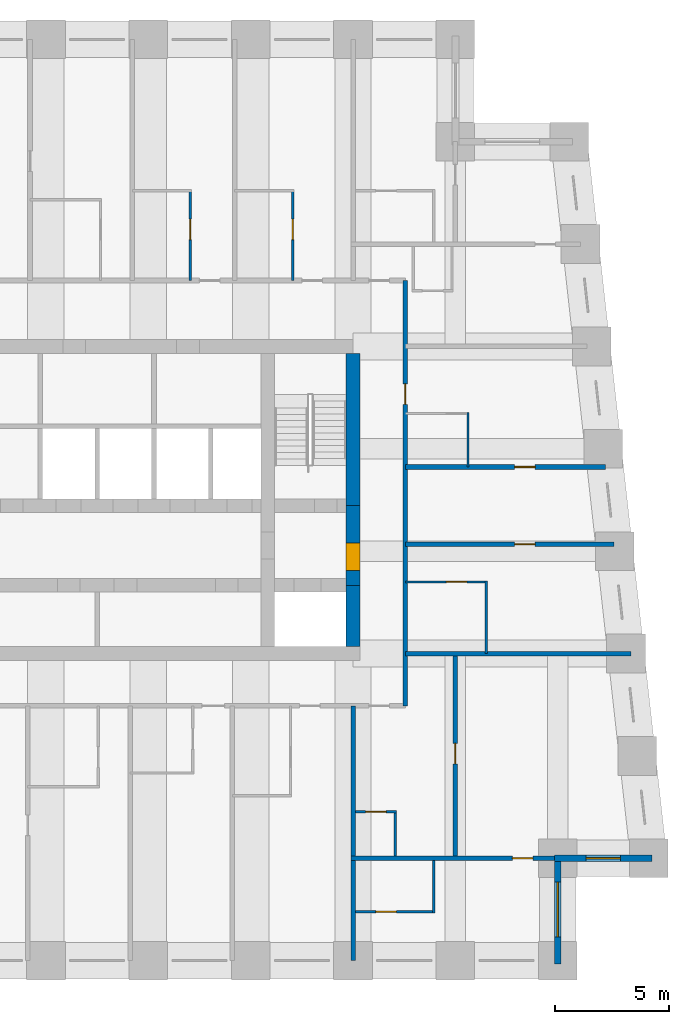
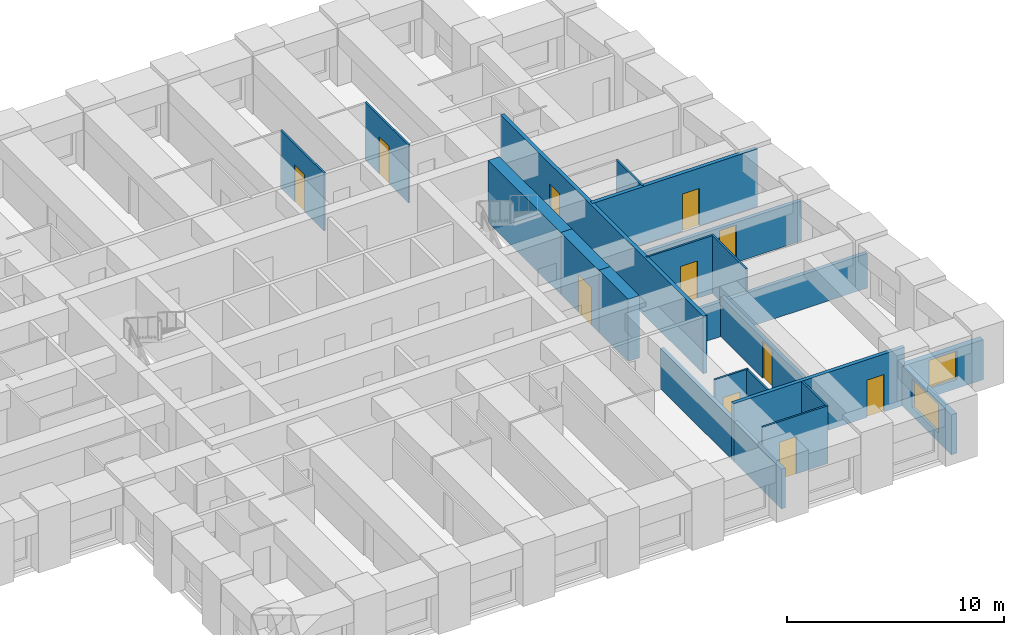
# One storey, part 5 of 8: 21 walls, 11 doors, 2 windows, 13 openings.
"""IFC4 building model written with IfcOpenShell, lengths in metres."""

import ifcopenshell
import ifcopenshell.guid

model = None  # the IFC model being written
_history = None  # IfcOwnerHistory: only IFC2X3 demands one
_inside = {}  # id of a spatial element -> (the spatial element, [elements in it])
_under = {}  # id of a project, library or spatial element -> (it, [spatial elements below it])
_declared = {}  # id of a project -> (the project, [libraries it declares])
_typed = {}  # id of a type object -> (the type object, [elements of that type])
_made_of = {}  # id of a material, layer set ... -> (it, [elements and type objects made of it])


def new_model(schema):
    """Start an empty IFC model of exactly this schema.

    Asked for "IFC4X3", IfcOpenShell would pick the latest addendum, in which some entities
    have other attributes; the version numbers below select the first issue.
    IFC2X3 requires an IfcOwnerHistory on every rooted entity: one is made here for all.
    """
    global model, _history
    if schema == "IFC4X3":
        model = ifcopenshell.file(schema_version=(4, 3, 0, 0))
    else:
        model = ifcopenshell.file(schema=schema)
    _inside.clear()
    _under.clear()
    _declared.clear()
    _typed.clear()
    _made_of.clear()
    _history = None
    if model.schema == "IFC2X3":
        org = make("IfcOrganization", Name="unknown")
        user = make(
            "IfcPersonAndOrganization",
            ThePerson=make("IfcPerson", FamilyName="unknown"),
            TheOrganization=org,
        )
        app = make(
            "IfcApplication",
            ApplicationDeveloper=org,
            Version="unknown",
            ApplicationFullName="unknown",
            ApplicationIdentifier="unknown",
        )
        _history = make(
            "IfcOwnerHistory",
            OwningUser=user,
            OwningApplication=app,
            ChangeAction="ADDED",
            CreationDate=0,
        )
    return model


def make(cls, **values):
    """One entity of the class cls with the attributes given. An attribute that is None is left unset."""
    return model.create_entity(
        cls, **{name: value for name, value in values.items() if value is not None}
    )


def rooted(cls, **values):
    """An entity with a GlobalId (a new one), such as an element, a storey or a relation."""
    return make(cls, GlobalId=ifcopenshell.guid.new(), OwnerHistory=_history, **values)


def si_unit(unit_type, name, prefix=None):
    """IfcSIUnit, for example si_unit("LENGTHUNIT", "METRE", prefix="MILLI")."""
    return make("IfcSIUnit", UnitType=unit_type, Prefix=prefix, Name=name)


def assignment(units):
    """IfcUnitAssignment: the units of a project."""
    return None if units is None else make("IfcUnitAssignment", Units=units)


def point(xyz):
    """IfcCartesianPoint."""
    return None if xyz is None else make("IfcCartesianPoint", Coordinates=xyz)


def direction(xyz):
    """IfcDirection."""
    return None if xyz is None else make("IfcDirection", DirectionRatios=xyz)


def frame(location, z_axis=None, x_axis=None):
    """IfcAxis2Placement3D, a coordinate frame: its origin and axes. An axis left out is left unset."""
    return make(
        "IfcAxis2Placement3D",
        Location=point(location),
        Axis=direction(z_axis),
        RefDirection=direction(x_axis),
    )


def frame_2d(location, x_axis=None):
    """IfcAxis2Placement2D, a coordinate frame in the plane: its origin and x axis."""
    return make(
        "IfcAxis2Placement2D", Location=point(location), RefDirection=direction(x_axis)
    )


def origin():
    """The frame at (0, 0, 0) with its axes left unset."""
    return frame((0.0, 0.0, 0.0))


def place(relative_to, where):
    """IfcLocalPlacement: puts the frame where relative to a parent placement (None: the world)."""
    return make(
        "IfcLocalPlacement", PlacementRelTo=relative_to, RelativePlacement=where
    )


def context(
    kind, dimensions, precision=None, world=None, true_north=None, identifier=None
):
    """IfcGeometricRepresentationContext, for example the 3D "Model" context."""
    return make(
        "IfcGeometricRepresentationContext",
        ContextIdentifier=identifier,
        ContextType=kind,
        CoordinateSpaceDimension=dimensions,
        Precision=precision,
        WorldCoordinateSystem=world,
        TrueNorth=true_north,
    )


def subcontext(parent, identifier, kind, view, scale=None):
    """IfcGeometricRepresentationSubContext, for example "Body" below "Model"."""
    return make(
        "IfcGeometricRepresentationSubContext",
        ContextIdentifier=identifier,
        ContextType=kind,
        ParentContext=parent,
        TargetScale=scale,
        TargetView=view,
    )


def project(units=None, contexts=None):
    """IfcProject with its units and contexts."""
    return rooted(
        "IfcProject",
        Name="project",
        RepresentationContexts=contexts,
        UnitsInContext=assignment(units),
    )


def spatial(cls, under=None, at=None, **own):
    """A site, building, storey or space (cls), placed at a placement, below another one or the project."""
    s = rooted(cls, ObjectPlacement=at, **own)
    if under is not None:
        _under.setdefault(under.id(), (under, []))[1].append(s)
    return s


def profile(cls, at=None, kind="AREA", **sizes):
    """A parametric profile (cls). Its sizes go by their IFC names, for example OverallWidth=200.0."""
    return make(cls, ProfileType=kind, Position=at, **sizes)


def rectangle(**sizes):
    """IfcRectangleProfileDef."""
    return profile("IfcRectangleProfileDef", **sizes)


def extrude(swept, where, along, depth):
    """IfcExtrudedAreaSolid: the profile swept, set in the frame where, extruded along a direction by depth."""
    return make(
        "IfcExtrudedAreaSolid",
        SweptArea=swept,
        Position=where,
        ExtrudedDirection=direction(along),
        Depth=depth,
    )


def shape(context_of_items, identifier, shape_type, items):
    """IfcShapeRepresentation: the items that make up one representation, for example the "Body"."""
    return make(
        "IfcShapeRepresentation",
        ContextOfItems=context_of_items,
        RepresentationIdentifier=identifier,
        RepresentationType=shape_type,
        Items=items,
    )


def material(Name=None, Category=None):
    """IfcMaterial."""
    return make("IfcMaterial", Name=Name, Category=Category)


def layer(
    of_material, thickness, ventilated=None, Name=None, Category=None, Priority=None
):
    """IfcMaterialLayer: one layer of a wall or slab, of a material (None: an air gap)."""
    return make(
        "IfcMaterialLayer",
        Material=of_material,
        LayerThickness=thickness,
        IsVentilated=ventilated,
        Name=Name,
        Category=Category,
        Priority=Priority,
    )


def layer_set(layers, Name=None):
    """IfcMaterialLayerSet."""
    return make("IfcMaterialLayerSet", MaterialLayers=layers, LayerSetName=Name)


def made_of(thing, what):
    """Note that an element or type object is made of a material, layer set ...; save() writes the relation."""
    if what is not None:
        _made_of.setdefault(what.id(), (what, []))[1].append(thing)
    return thing


def type_object(cls, material=None, **own):
    """A type object (cls), such as IfcWallType, which elements share."""
    return made_of(rooted(cls, **own), material)


def element(
    cls,
    number,
    at=None,
    inside=None,
    cuts=None,
    type_object=None,
    material=None,
    context=None,
    identifier="Body",
    shape_type=None,
    held_by="IfcProductDefinitionShape",
    body=None,
    shapes=None,
    **own,
):
    """One element of the class cls, such as IfcWall. Its Tag is "e" and its number.

    at: its placement. inside: the storey or other place that contains it. cuts: it is an
    opening in that element (IfcRelVoidsElement). A single representation is given by context,
    identifier, shape_type and body (its items); several are given by shapes. held_by: the class
    of the entity that holds the representations. save() writes the other relations.
    """
    e = rooted(cls, Tag="e%d" % number, ObjectPlacement=at, **own)
    if body is not None:
        shapes = [shape(context, identifier, shape_type, body)]
    if shapes is not None:
        e.Representation = make(held_by, Representations=shapes)
    if inside is not None:
        _inside.setdefault(inside.id(), (inside, []))[1].append(e)
    if cuts is not None:
        rooted(
            "IfcRelVoidsElement", RelatingBuildingElement=cuts, RelatedOpeningElement=e
        )
    if type_object is not None:
        _typed.setdefault(type_object.id(), (type_object, []))[1].append(e)
    return made_of(e, material)


def fill(opening, filler):
    """IfcRelFillsElement: the door or window that sits in an opening."""
    return rooted(
        "IfcRelFillsElement",
        RelatingOpeningElement=opening,
        RelatedBuildingElement=filler,
    )


def aggregate(whole, parts):
    """IfcRelAggregates: a whole, such as a stair, and the parts it consists of."""
    return rooted("IfcRelAggregates", RelatingObject=whole, RelatedObjects=parts)


def save(model, path):
    """Write the relations noted so far, then the file.

    IfcRelAggregates (storeys below a building ...), IfcRelContainedInSpatialStructure (elements
    in a storey), IfcRelDefinesByType, IfcRelAssociatesMaterial and IfcRelDeclares: one each for
    every whole, place, type object, material and project.
    """
    for whole, parts in _under.values():
        aggregate(whole, parts)
    for where, things in _inside.values():
        rooted(
            "IfcRelContainedInSpatialStructure",
            RelatedElements=things,
            RelatingStructure=where,
        )
    for kind, things in _typed.values():
        rooted("IfcRelDefinesByType", RelatedObjects=things, RelatingType=kind)
    for what, things in _made_of.values():
        rooted("IfcRelAssociatesMaterial", RelatedObjects=things, RelatingMaterial=what)
    for by, libraries in _declared.values():
        rooted("IfcRelDeclares", RelatingContext=by, RelatedDefinitions=libraries)
    model.write(path)


model = new_model("IFC4")

# Units and contexts
model_context = context("Model", 3, precision=1e-05, world=origin(), true_north=direction((0.0, 1.0)))
body_context = subcontext(model_context, "Body", "Model", "MODEL_VIEW")
ifc_project = project(units=[si_unit("LENGTHUNIT", "METRE"), si_unit("AREAUNIT", "SQUARE_METRE"), si_unit("VOLUMEUNIT", "CUBIC_METRE"), si_unit("PLANEANGLEUNIT", "RADIAN"), si_unit("MASSUNIT", "GRAM", prefix="KILO")], contexts=[model_context])

# Site, building, storey
site_placement = place(None, origin())
site = spatial("IfcSite", under=ifc_project, at=site_placement, CompositionType="ELEMENT")
building_placement = place(site_placement, origin())
building = spatial("IfcBuilding", under=site, at=building_placement, Name="Kilele Tower Hotel", CompositionType="ELEMENT")
storey_placement = place(building_placement, frame((0.0, 0.0, 176.39990234375)))
storey = spatial("IfcBuildingStorey", under=building, at=storey_placement, Name="L45", CompositionType="ELEMENT", Elevation=176.39990234375)

# Wall
ifc_material_1 = material(Name="Moisture-resistant board")
ifc_layer_1 = layer(ifc_material_1, 0.10009765625)
ifc_layer_set_1 = layer_set([ifc_layer_1], Name="Moisture-resistant board")
wall_type_1 = type_object("IfcWallType", Name="Bathroom partition 100", PredefinedType="PLUMBINGWALL", material=ifc_layer_set_1)
wall_1_placement = place(storey_placement, frame((41.85009765625, 13.5, 0.0), z_axis=(0.0, 0.0, 1.0), x_axis=(0.0, 1.0, 0.0)))
element("IfcWall", 1, at=wall_1_placement, inside=storey, type_object=wall_type_1, Name="Bathroom partition 100 L45", PredefinedType="PLUMBINGWALL", context=body_context, shape_type="SweptSolid", body=[
    extrude(rectangle(XDim=3.199951171875, YDim=0.10009765625, at=frame_2d((1.60009765625, 0.0))), origin(), (0.0, 0.0, 1.0), 3.25),
])

# Wall, opening, door
wall_2_placement = place(storey_placement, frame((38.300048828125, 16.64990234375, 0.0), z_axis=(0.0, 0.0, 1.0), x_axis=(1.0, 0.0, 0.0)))
wall_2 = element("IfcWall", 2, at=wall_2_placement, inside=storey, type_object=wall_type_1, Name="Bathroom partition 100 L45", PredefinedType="PLUMBINGWALL", context=body_context, shape_type="SweptSolid", body=[
    extrude(rectangle(XDim=3.599853515625, YDim=0.10009765625, at=frame_2d((1.7998046875, 0.0))), origin(), (0.0, 0.0, 1.0), 3.25),
])
opening_1_placement = place(wall_2_placement, frame((1.800048828125, 0.0, 0.0)))
opening_1 = element("IfcOpeningElement", 3, at=opening_1_placement, cuts=wall_2, Name="Opening D2A", PredefinedType="OPENING", context=body_context, shape_type="SweptSolid", body=[
    extrude(rectangle(XDim=0.89990234375, YDim=2.10009765625, at=frame_2d((0.449951171875, 1.050048828125))), frame((0.0, 0.06005859375, 0.0), z_axis=(0.0, -1.0, 0.0), x_axis=(1.0, 0.0, 0.0)), (0.0, 0.0, 1.0), 0.1201171875),
])
ifc_material_2 = material(Name="Timber door leaf in hardwood frame", Category="wood")
door_type_1 = type_object("IfcDoorType", Name="Bathroom door 900", OperationType="SINGLE_SWING_LEFT", PredefinedType="DOOR", material=ifc_material_2)
door_1_placement = place(opening_1_placement, origin())
door_1 = element("IfcDoor", 4, at=door_1_placement, inside=storey, type_object=door_type_1, Name="Bathroom door 4506B", OperationType="SINGLE_SWING_RIGHT", OverallHeight=2.10009765625, OverallWidth=0.89990234375, PredefinedType="DOOR", context=body_context, shape_type="SweptSolid", body=[
    extrude(rectangle(XDim=0.89990234375, YDim=2.10009765625, at=frame_2d((0.449951171875, 1.050048828125))), frame((0.0, 0.02490234375, 0.0), z_axis=(0.0, -1.0, 0.0), x_axis=(1.0, 0.0, 0.0)), (0.0, 0.0, 1.0), 0.050048828125),
])
fill(opening_1, door_1)

# Wall
wall_3_placement = place(storey_placement, frame((41.050048828125, 21.699951171875, 0.0), z_axis=(0.0, 0.0, 1.0), x_axis=(0.0, 1.0, 0.0)))
element("IfcWall", 5, at=wall_3_placement, inside=storey, type_object=wall_type_1, Name="Bathroom partition 100 L45", PredefinedType="PLUMBINGWALL", context=body_context, shape_type="SweptSolid", body=[
    extrude(rectangle(XDim=2.400146484375, YDim=0.10009765625, at=frame_2d((1.2001953125, 0.0))), origin(), (0.0, 0.0, 1.0), 3.25),
])

# Wall, opening, door
wall_4_placement = place(storey_placement, frame((28.85009765625, 29.89990234375, 0.0), z_axis=(0.0, 0.0, 1.0), x_axis=(0.0, 1.0, 0.0)))
wall_4 = element("IfcWall", 6, at=wall_4_placement, inside=storey, type_object=wall_type_1, Name="Bathroom partition 100 L45", PredefinedType="PLUMBINGWALL", context=body_context, shape_type="SweptSolid", body=[
    extrude(rectangle(XDim=4.0, YDim=0.10009765625, at=frame_2d((2.0, 0.0))), origin(), (0.0, 0.0, 1.0), 3.25),
])
opening_2_placement = place(wall_4_placement, frame((2.699951171875, 0.0, 0.0), z_axis=(0.0, 0.0, 1.0), x_axis=(-1.0, 0.0, 0.0)))
opening_2 = element("IfcOpeningElement", 7, at=opening_2_placement, cuts=wall_4, Name="Opening D2A", PredefinedType="OPENING", context=body_context, shape_type="SweptSolid", body=[
    extrude(rectangle(XDim=0.89990234375, YDim=2.10009765625, at=frame_2d((0.449951171875, 1.050048828125))), frame((0.0, 0.06005859375, 0.0), z_axis=(0.0, -1.0, 0.0), x_axis=(1.0, 0.0, 0.0)), (0.0, 0.0, 1.0), 0.1201171875),
])
door_2_placement = place(opening_2_placement, origin())
door_2 = element("IfcDoor", 8, at=door_2_placement, inside=storey, type_object=door_type_1, Name="Bathroom door 4512B", OperationType="SINGLE_SWING_LEFT", OverallHeight=2.10009765625, OverallWidth=0.89990234375, PredefinedType="DOOR", context=body_context, shape_type="SweptSolid", body=[
    extrude(rectangle(XDim=0.89990234375, YDim=2.10009765625, at=frame_2d((0.449951171875, 1.050048828125))), frame((0.0, 0.02490234375, 0.0), z_axis=(0.0, -1.0, 0.0), x_axis=(1.0, 0.0, 0.0)), (0.0, 0.0, 1.0), 0.050048828125),
])
fill(opening_2, door_2)

wall_5_placement = place(storey_placement, frame((33.35009765625, 29.89990234375, 0.0), z_axis=(0.0, 0.0, 1.0), x_axis=(0.0, 1.0, 0.0)))
wall_5 = element("IfcWall", 9, at=wall_5_placement, inside=storey, type_object=wall_type_1, Name="Bathroom partition 100 L45", PredefinedType="PLUMBINGWALL", context=body_context, shape_type="SweptSolid", body=[
    extrude(rectangle(XDim=4.0, YDim=0.10009765625, at=frame_2d((2.0, 0.0))), origin(), (0.0, 0.0, 1.0), 3.25),
])
opening_3_placement = place(wall_5_placement, frame((2.699951171875, 0.0, 0.0), z_axis=(0.0, 0.0, 1.0), x_axis=(-1.0, 0.0, 0.0)))
opening_3 = element("IfcOpeningElement", 10, at=opening_3_placement, cuts=wall_5, Name="Opening D2A", PredefinedType="OPENING", context=body_context, shape_type="SweptSolid", body=[
    extrude(rectangle(XDim=0.89990234375, YDim=2.10009765625, at=frame_2d((0.449951171875, 1.050048828125))), frame((0.0, 0.06005859375, 0.0), z_axis=(0.0, -1.0, 0.0), x_axis=(1.0, 0.0, 0.0)), (0.0, 0.0, 1.0), 0.1201171875),
])
door_3_placement = place(opening_3_placement, origin())
door_3 = element("IfcDoor", 11, at=door_3_placement, inside=storey, type_object=door_type_1, Name="Bathroom door 4513B", OperationType="SINGLE_SWING_LEFT", OverallHeight=2.10009765625, OverallWidth=0.89990234375, PredefinedType="DOOR", context=body_context, shape_type="SweptSolid", body=[
    extrude(rectangle(XDim=0.89990234375, YDim=2.10009765625, at=frame_2d((0.449951171875, 1.050048828125))), frame((0.0, 0.02490234375, 0.0), z_axis=(0.0, -1.0, 0.0), x_axis=(1.0, 0.0, 0.0)), (0.0, 0.0, 1.0), 0.050048828125),
])
fill(opening_3, door_3)

# Wall
wall_6_placement = place(storey_placement, frame((37.85009765625, 4.60009765625, 0.0), z_axis=(0.0, 0.0, 1.0), x_axis=(0.0, 1.0, 0.0)))
element("IfcWall", 12, at=wall_6_placement, inside=storey, type_object=wall_type_1, Name="Bathroom partition 100 L45", PredefinedType="PLUMBINGWALL", context=body_context, shape_type="SweptSolid", body=[
    extrude(rectangle(XDim=2.0, YDim=0.10009765625, at=frame_2d((1.0, 0.0))), origin(), (0.0, 0.0, 1.0), 3.25),
])

# Wall, opening, door
wall_7_placement = place(storey_placement, frame((36.10009765625, 6.550048828125, 0.0), z_axis=(0.0, 0.0, 1.0), x_axis=(1.0, 0.0, 0.0)))
wall_7 = element("IfcWall", 13, at=wall_7_placement, inside=storey, type_object=wall_type_1, Name="Bathroom partition 100 L45", PredefinedType="PLUMBINGWALL", context=body_context, shape_type="SweptSolid", body=[
    extrude(rectangle(XDim=1.7998046875, YDim=0.10009765625, at=frame_2d((0.89990234375, 0.0))), origin(), (0.0, 0.0, 1.0), 3.25),
])
opening_4_placement = place(wall_7_placement, frame((0.449951171875, 0.0, 0.0)))
opening_4 = element("IfcOpeningElement", 14, at=opening_4_placement, cuts=wall_7, Name="Opening D2A", PredefinedType="OPENING", context=body_context, shape_type="SweptSolid", body=[
    extrude(rectangle(XDim=0.89990234375, YDim=2.10009765625, at=frame_2d((0.449951171875, 1.050048828125))), frame((0.0, 0.06005859375, 0.0), z_axis=(0.0, -1.0, 0.0), x_axis=(1.0, 0.0, 0.0)), (0.0, 0.0, 1.0), 0.1201171875),
])
door_4_placement = place(opening_4_placement, origin())
door_4 = element("IfcDoor", 15, at=door_4_placement, inside=storey, type_object=door_type_1, Name="Bathroom door 4519P", OperationType="SINGLE_SWING_LEFT", OverallHeight=2.10009765625, OverallWidth=0.89990234375, PredefinedType="DOOR", context=body_context, shape_type="SweptSolid", body=[
    extrude(rectangle(XDim=0.89990234375, YDim=2.10009765625, at=frame_2d((0.449951171875, 1.050048828125))), frame((0.0, 0.02490234375, 0.0), z_axis=(0.0, -1.0, 0.0), x_axis=(1.0, 0.0, 0.0)), (0.0, 0.0, 1.0), 0.050048828125),
])
fill(opening_4, door_4)

# Wall
wall_8_placement = place(storey_placement, frame((39.550048828125, 4.39990234375, 0.0), z_axis=(0.0, 0.0, 1.0), x_axis=(0.0, -1.0, 0.0)))
element("IfcWall", 16, at=wall_8_placement, inside=storey, type_object=wall_type_1, Name="Bathroom partition 100 L45", PredefinedType="PLUMBINGWALL", context=body_context, shape_type="SweptSolid", body=[
    extrude(rectangle(XDim=2.2998046875, YDim=0.10009765625, at=frame_2d((1.14990234375, 0.0))), origin(), (0.0, 0.0, 1.0), 3.25),
])

# Wall, opening, door
wall_9_placement = place(storey_placement, frame((36.10009765625, 2.14990234375, 0.0), z_axis=(0.0, 0.0, 1.0), x_axis=(1.0, 0.0, 0.0)))
wall_9 = element("IfcWall", 17, at=wall_9_placement, inside=storey, type_object=wall_type_1, Name="Bathroom partition 100 L45", PredefinedType="PLUMBINGWALL", context=body_context, shape_type="SweptSolid", body=[
    extrude(rectangle(XDim=3.5, YDim=0.10009765625, at=frame_2d((1.75, 0.0))), origin(), (0.0, 0.0, 1.0), 3.25),
])
opening_5_placement = place(wall_9_placement, frame((1.7998046875, 0.0, 0.0), z_axis=(0.0, 0.0, 1.0), x_axis=(-1.0, 0.0, 0.0)))
opening_5 = element("IfcOpeningElement", 18, at=opening_5_placement, cuts=wall_9, Name="Opening D2A", PredefinedType="OPENING", context=body_context, shape_type="SweptSolid", body=[
    extrude(rectangle(XDim=0.89990234375, YDim=2.10009765625, at=frame_2d((0.449951171875, 1.050048828125))), frame((0.0, 0.06005859375, 0.0), z_axis=(0.0, -1.0, 0.0), x_axis=(1.0, 0.0, 0.0)), (0.0, 0.0, 1.0), 0.1201171875),
])
door_5_placement = place(opening_5_placement, origin())
door_5 = element("IfcDoor", 19, at=door_5_placement, inside=storey, type_object=door_type_1, Name="Bathroom door 4521B", OperationType="SINGLE_SWING_RIGHT", OverallHeight=2.10009765625, OverallWidth=0.89990234375, PredefinedType="DOOR", context=body_context, shape_type="SweptSolid", body=[
    extrude(rectangle(XDim=0.89990234375, YDim=2.10009765625, at=frame_2d((0.449951171875, 1.050048828125))), frame((0.0, 0.02490234375, 0.0), z_axis=(0.0, -1.0, 0.0), x_axis=(1.0, 0.0, 0.0)), (0.0, 0.0, 1.0), 0.050048828125),
])
fill(opening_5, door_5)

# Wall
ifc_material_3 = material(Name="Concrete C70/85", Category="concrete")
ifc_layer_2 = layer(ifc_material_3, 0.60009765625)
ifc_layer_set_2 = layer_set([ifc_layer_2], Name="Concrete C70/85")
wall_type_2 = type_object("IfcWallType", Name="Core wall 600 C70/85", PredefinedType="SHEAR", material=ifc_layer_set_2)
wall_10_placement = place(storey_placement, frame((36.0, 13.800048828125, 0.0), z_axis=(0.0, 0.0, 1.0), x_axis=(0.0, 1.0, 0.0)))
element("IfcWall", 20, at=wall_10_placement, inside=storey, type_object=wall_type_2, Name="Core wall E1 L45", PredefinedType="SHEAR", context=body_context, shape_type="SweptSolid", body=[
    extrude(rectangle(XDim=2.699951171875, YDim=0.60009765625, at=frame_2d((1.35009765625, 0.0))), origin(), (0.0, 0.0, 1.0), 3.5),
])

# Wall, opening, door
wall_11_placement = place(storey_placement, frame((36.0, 16.5, 0.0), z_axis=(0.0, 0.0, 1.0), x_axis=(0.0, 1.0, 0.0)))
wall_11 = element("IfcWall", 21, at=wall_11_placement, inside=storey, type_object=wall_type_2, Name="Core wall E2 L45", PredefinedType="SHEAR", context=body_context, shape_type="SweptSolid", body=[
    extrude(rectangle(XDim=3.5, YDim=0.60009765625, at=frame_2d((1.75, 0.0))), origin(), (0.0, 0.0, 1.0), 3.5),
])
opening_6_placement = place(wall_11_placement, frame((0.64990234375, 0.0, 0.0)))
opening_6 = element("IfcOpeningElement", 22, at=opening_6_placement, cuts=wall_11, Name="Opening D4", PredefinedType="OPENING", context=body_context, shape_type="SweptSolid", body=[
    extrude(rectangle(XDim=1.199951171875, YDim=2.10009765625, at=frame_2d((0.60009765625, 1.050048828125))), frame((0.0, 0.31005859375, 0.0), z_axis=(0.0, -1.0, 0.0), x_axis=(1.0, 0.0, 0.0)), (0.0, 0.0, 1.0), 0.6201171875),
])
ifc_material_4 = material(Name="Timber door leaf in hardwood frame", Category="wood")
door_type_2 = type_object("IfcDoorType", Name="Firefighting lobby door 1200", OperationType="SINGLE_SWING_LEFT", PredefinedType="DOOR", material=ifc_material_4)
door_6_placement = place(opening_6_placement, origin())
door_6 = element("IfcDoor", 23, at=door_6_placement, inside=storey, type_object=door_type_2, Name="Lobby door L45", OperationType="SINGLE_SWING_LEFT", OverallHeight=2.10009765625, OverallWidth=1.199951171875, PredefinedType="DOOR", context=body_context, shape_type="SweptSolid", body=[
    extrude(rectangle(XDim=1.199951171875, YDim=2.10009765625, at=frame_2d((0.60009765625, 1.050048828125))), frame((0.0, 0.2998046875, 0.0), z_axis=(0.0, -1.0, 0.0), x_axis=(1.0, 0.0, 0.0)), (0.0, 0.0, 1.0), 0.599609375),
])
fill(opening_6, door_6)

# Wall
wall_12_placement = place(storey_placement, frame((36.0, 20.0, 0.0), z_axis=(0.0, 0.0, 1.0), x_axis=(0.0, 1.0, 0.0)))
element("IfcWall", 24, at=wall_12_placement, inside=storey, type_object=wall_type_2, Name="Core wall E3 L45", PredefinedType="SHEAR", context=body_context, shape_type="SweptSolid", body=[
    extrude(rectangle(XDim=6.699951171875, YDim=0.60009765625, at=frame_2d((3.35009765625, 0.0))), origin(), (0.0, 0.0, 1.0), 3.5),
])

# Wall, opening, door
ifc_material_5 = material(Name="Blockwork, plastered both sides", Category="masonry")
ifc_layer_3 = layer(ifc_material_5, 0.199951171875)
ifc_layer_set_3 = layer_set([ifc_layer_3], Name="Blockwork, plastered both sides")
wall_type_3 = type_object("IfcWallType", Name="Corridor wall 200", PredefinedType="PARTITIONING", material=ifc_layer_set_3)
wall_13_placement = place(storey_placement, frame((38.300048828125, 11.199951171875, 0.0), z_axis=(0.0, 0.0, 1.0), x_axis=(0.0, 1.0, 0.0)))
wall_13 = element("IfcWall", 25, at=wall_13_placement, inside=storey, type_object=wall_type_3, Name="Corridor wall 200 L45", PredefinedType="PARTITIONING", context=body_context, shape_type="SweptSolid", body=[
    extrude(rectangle(XDim=18.699951171875, YDim=0.199951171875, at=frame_2d((9.35009765625, 0.0))), origin(), (0.0, 0.0, 1.0), 3.25),
])
opening_7_placement = place(wall_13_placement, frame((14.14990234375, 0.0, 0.0), z_axis=(0.0, 0.0, 1.0), x_axis=(-1.0, 0.0, 0.0)))
opening_7 = element("IfcOpeningElement", 26, at=opening_7_placement, cuts=wall_13, Name="Opening D1", PredefinedType="OPENING", context=body_context, shape_type="SweptSolid", body=[
    extrude(rectangle(XDim=0.89990234375, YDim=2.10009765625, at=frame_2d((0.449951171875, 1.050048828125))), frame((0.0, 0.10986328125, 0.0), z_axis=(0.0, -1.0, 0.0), x_axis=(1.0, 0.0, 0.0)), (0.0, 0.0, 1.0), 0.219970703125),
])
ifc_material_6 = material(Name="Timber door leaf in hardwood frame", Category="wood")
door_type_3 = type_object("IfcDoorType", Name="Guest room entrance door 900", OperationType="SINGLE_SWING_LEFT", PredefinedType="DOOR", material=ifc_material_6)
door_7_placement = place(opening_7_placement, origin())
door_7 = element("IfcDoor", 27, at=door_7_placement, inside=storey, type_object=door_type_3, Name="Room entrance 4508", OperationType="SINGLE_SWING_RIGHT", OverallHeight=2.10009765625, OverallWidth=0.89990234375, PredefinedType="DOOR", context=body_context, shape_type="SweptSolid", body=[
    extrude(rectangle(XDim=0.89990234375, YDim=2.10009765625, at=frame_2d((0.449951171875, 1.050048828125))), frame((0.0, 0.02490234375, 0.0), z_axis=(0.0, -1.0, 0.0), x_axis=(1.0, 0.0, 0.0)), (0.0, 0.0, 1.0), 0.050048828125),
])
fill(opening_7, door_7)

ifc_material_7 = material(Name="Blockwork, plastered both sides", Category="masonry")
ifc_layer_4 = layer(ifc_material_7, 0.199951171875)
ifc_layer_set_4 = layer_set([ifc_layer_4], Name="Blockwork, plastered both sides")
wall_type_4 = type_object("IfcWallType", Name="Partition wall 200", PredefinedType="PARTITIONING", material=ifc_layer_set_4)
wall_14_placement = place(storey_placement, frame((40.5, 4.60009765625, 0.0), z_axis=(0.0, 0.0, 1.0), x_axis=(0.0, 1.0, 0.0)))
wall_14 = element("IfcWall", 28, at=wall_14_placement, inside=storey, type_object=wall_type_4, Name="Partition wall 200 L45", PredefinedType="PARTITIONING", context=body_context, shape_type="SweptSolid", body=[
    extrude(rectangle(XDim=8.7998046875, YDim=0.199951171875, at=frame_2d((4.39990234375, 0.0))), origin(), (0.0, 0.0, 1.0), 2.25),
])
opening_8_placement = place(wall_14_placement, frame((4.050048828125, 0.0, 0.0)))
opening_8 = element("IfcOpeningElement", 29, at=opening_8_placement, cuts=wall_14, Name="Opening D3", PredefinedType="OPENING", context=body_context, shape_type="SweptSolid", body=[
    extrude(rectangle(XDim=0.89990234375, YDim=2.10009765625, at=frame_2d((0.449951171875, 1.050048828125))), frame((0.0, 0.10986328125, 0.0), z_axis=(0.0, -1.0, 0.0), x_axis=(1.0, 0.0, 0.0)), (0.0, 0.0, 1.0), 0.219970703125),
])
ifc_material_8 = material(Name="Timber door leaf in hardwood frame", Category="wood")
door_type_4 = type_object("IfcDoorType", Name="Suite internal door 900", OperationType="SINGLE_SWING_LEFT", PredefinedType="DOOR", material=ifc_material_8)
door_8_placement = place(opening_8_placement, origin())
door_8 = element("IfcDoor", 30, at=door_8_placement, inside=storey, type_object=door_type_4, Name="Suite door 4520", OperationType="SINGLE_SWING_RIGHT", OverallHeight=2.10009765625, OverallWidth=0.89990234375, PredefinedType="DOOR", context=body_context, shape_type="SweptSolid", body=[
    extrude(rectangle(XDim=0.89990234375, YDim=2.10009765625, at=frame_2d((0.449951171875, 1.050048828125))), frame((0.0, 0.02490234375, 0.0), z_axis=(0.0, -1.0, 0.0), x_axis=(1.0, 0.0, 0.0)), (0.0, 0.0, 1.0), 0.050048828125),
])
fill(opening_8, door_8)

ifc_material_9 = material(Name="Blockwork, plastered both sides", Category="masonry")
ifc_layer_5 = layer(ifc_material_9, 0.199951171875)
ifc_layer_set_5 = layer_set([ifc_layer_5], Name="Blockwork, plastered both sides")
wall_type_5 = type_object("IfcWallType", Name="Party wall 200", PredefinedType="PARTITIONING", material=ifc_layer_set_5)
wall_15_placement = place(storey_placement, frame((38.300048828125, 18.300048828125, 0.0), z_axis=(0.0, 0.0, 1.0), x_axis=(1.0, 0.0, 0.0)))
wall_15 = element("IfcWall", 31, at=wall_15_placement, inside=storey, type_object=wall_type_5, Name="Party wall 200 L45", PredefinedType="PARTITIONING", context=body_context, shape_type="SweptSolid", body=[
    extrude(rectangle(XDim=9.165771484375, YDim=0.199951171875, at=frame_2d((4.5830078125, 0.0))), origin(), (0.0, 0.0, 1.0), 2.25),
])
opening_9_placement = place(wall_15_placement, frame((4.800048828125, 0.0, 0.0)))
opening_9 = element("IfcOpeningElement", 32, at=opening_9_placement, cuts=wall_15, Name="Opening D3", PredefinedType="OPENING", context=body_context, shape_type="SweptSolid", body=[
    extrude(rectangle(XDim=0.89990234375, YDim=2.10009765625, at=frame_2d((0.449951171875, 1.050048828125))), frame((0.0, 0.10986328125, 0.0), z_axis=(0.0, -1.0, 0.0), x_axis=(1.0, 0.0, 0.0)), (0.0, 0.0, 1.0), 0.219970703125),
])
door_9_placement = place(opening_9_placement, origin())
door_9 = element("IfcDoor", 33, at=door_9_placement, inside=storey, type_object=door_type_4, Name="Suite door 4507", OperationType="SINGLE_SWING_RIGHT", OverallHeight=2.10009765625, OverallWidth=0.89990234375, PredefinedType="DOOR", context=body_context, shape_type="SweptSolid", body=[
    extrude(rectangle(XDim=0.89990234375, YDim=2.10009765625, at=frame_2d((0.449951171875, 1.050048828125))), frame((0.0, 0.02490234375, 0.0), z_axis=(0.0, -1.0, 0.0), x_axis=(1.0, 0.0, 0.0)), (0.0, 0.0, 1.0), 0.050048828125),
])
fill(opening_9, door_9)

wall_16_placement = place(storey_placement, frame((38.300048828125, 21.699951171875, 0.0), z_axis=(0.0, 0.0, 1.0), x_axis=(1.0, 0.0, 0.0)))
wall_16 = element("IfcWall", 34, at=wall_16_placement, inside=storey, type_object=wall_type_5, Name="Party wall 200 L45", PredefinedType="PARTITIONING", context=body_context, shape_type="SweptSolid", body=[
    extrude(rectangle(XDim=8.787841796875, YDim=0.199951171875, at=frame_2d((4.39404296875, 0.0))), origin(), (0.0, 0.0, 1.0), 3.25),
])
opening_10_placement = place(wall_16_placement, frame((4.800048828125, 0.0, 0.0)))
opening_10 = element("IfcOpeningElement", 35, at=opening_10_placement, cuts=wall_16, Name="Opening D3", PredefinedType="OPENING", context=body_context, shape_type="SweptSolid", body=[
    extrude(rectangle(XDim=0.89990234375, YDim=2.10009765625, at=frame_2d((0.449951171875, 1.050048828125))), frame((0.0, 0.10986328125, 0.0), z_axis=(0.0, -1.0, 0.0), x_axis=(1.0, 0.0, 0.0)), (0.0, 0.0, 1.0), 0.219970703125),
])
door_10_placement = place(opening_10_placement, origin())
door_10 = element("IfcDoor", 36, at=door_10_placement, inside=storey, type_object=door_type_4, Name="Suite door 4508", OperationType="SINGLE_SWING_RIGHT", OverallHeight=2.10009765625, OverallWidth=0.89990234375, PredefinedType="DOOR", context=body_context, shape_type="SweptSolid", body=[
    extrude(rectangle(XDim=0.89990234375, YDim=2.10009765625, at=frame_2d((0.449951171875, 1.050048828125))), frame((0.0, 0.02490234375, 0.0), z_axis=(0.0, -1.0, 0.0), x_axis=(1.0, 0.0, 0.0)), (0.0, 0.0, 1.0), 0.050048828125),
])
fill(opening_10, door_10)

# Walls
wall_17_placement = place(storey_placement, frame((38.300048828125, 13.5, 0.0), z_axis=(0.0, 0.0, 1.0), x_axis=(1.0, 0.0, 0.0)))
element("IfcWall", 37, at=wall_17_placement, inside=storey, type_object=wall_type_5, Name="Party wall 200 L45", PredefinedType="PARTITIONING", context=body_context, shape_type="SweptSolid", body=[
    extrude(rectangle(XDim=9.921142578125, YDim=0.199951171875, at=frame_2d((4.96044921875, 0.0))), origin(), (0.0, 0.0, 1.0), 1.9501953125),
])
wall_18_placement = place(storey_placement, frame((36.0, 11.199951171875, 0.0), z_axis=(0.0, 0.0, 1.0), x_axis=(0.0, -1.0, 0.0)))
element("IfcWall", 38, at=wall_18_placement, inside=storey, type_object=wall_type_5, Name="Party wall 200 L45", PredefinedType="PARTITIONING", context=body_context, shape_type="SweptSolid", body=[
    extrude(rectangle(XDim=11.199951171875, YDim=0.199951171875, at=frame_2d((5.60009765625, 0.0))), origin(), (0.0, 0.0, 1.0), 2.25),
])

# Wall, opening, door
wall_19_placement = place(storey_placement, frame((35.89990234375, 4.5, 0.0), z_axis=(0.0, 0.0, 1.0), x_axis=(1.0, 0.0, 0.0)))
wall_19 = element("IfcWall", 39, at=wall_19_placement, inside=storey, type_object=wall_type_5, Name="Party wall 200 L45", PredefinedType="PARTITIONING", context=body_context, shape_type="SweptSolid", body=[
    extrude(rectangle(XDim=9.10009765625, YDim=0.199951171875, at=frame_2d((4.550048828125, 0.0))), origin(), (0.0, 0.0, 1.0), 3.25),
])
opening_11_placement = place(wall_19_placement, frame((7.10009765625, 0.0, 0.0)))
opening_11 = element("IfcOpeningElement", 40, at=opening_11_placement, cuts=wall_19, Name="Opening D3", PredefinedType="OPENING", context=body_context, shape_type="SweptSolid", body=[
    extrude(rectangle(XDim=0.89990234375, YDim=2.10009765625, at=frame_2d((0.449951171875, 1.050048828125))), frame((0.0, 0.10986328125, 0.0), z_axis=(0.0, -1.0, 0.0), x_axis=(1.0, 0.0, 0.0)), (0.0, 0.0, 1.0), 0.219970703125),
])
door_11_placement = place(opening_11_placement, origin())
door_11 = element("IfcDoor", 41, at=door_11_placement, inside=storey, type_object=door_type_4, Name="Suite door 4521", OperationType="SINGLE_SWING_RIGHT", OverallHeight=2.10009765625, OverallWidth=0.89990234375, PredefinedType="DOOR", context=body_context, shape_type="SweptSolid", body=[
    extrude(rectangle(XDim=0.89990234375, YDim=2.10009765625, at=frame_2d((0.449951171875, 1.050048828125))), frame((0.0, 0.02490234375, 0.0), z_axis=(0.0, -1.0, 0.0), x_axis=(1.0, 0.0, 0.0)), (0.0, 0.0, 1.0), 0.050048828125),
])
fill(opening_11, door_11)

# Wall, opening, window
ifc_material_10 = material(Name="Concrete C40/50 precast", Category="concrete")
ifc_layer_6 = layer(ifc_material_10, 0.260009765625, Name="Precast backing", Category="LoadBearing")
ifc_material_11 = material(Name="Reconstituted stone finish", Category="masonry")
ifc_layer_7 = layer(ifc_material_11, 0.0400390625, Name="Face mix", Category="Finish")
ifc_layer_set_6 = layer_set([ifc_layer_6, ifc_layer_7], Name="Precast concrete C40/50, reconstituted stone finish")
wall_type_6 = type_object("IfcWallType", Name="Precast stone facade wall 300", PredefinedType="STANDARD", material=ifc_layer_set_6)
wall_20_placement = place(storey_placement, frame((45.0, -0.14990234375, 0.0), z_axis=(0.0, 0.0, 1.0), x_axis=(0.0, 1.0, 0.0)))
wall_20 = element("IfcWall", 42, at=wall_20_placement, inside=storey, type_object=wall_type_6, Name="Facade wall L45 edge 4", PredefinedType="STANDARD", context=body_context, shape_type="SweptSolid", body=[
    extrude(rectangle(XDim=4.7998046875, YDim=0.300048828125, at=frame_2d((2.39990234375, 0.0))), origin(), (0.0, 0.0, 1.0), 2.25),
])
opening_12_placement = place(wall_20_placement, frame((1.199951171875, 0.0, 0.5)))
opening_12 = element("IfcOpeningElement", 43, at=opening_12_placement, cuts=wall_20, Name="Opening W3", PredefinedType="OPENING", context=body_context, shape_type="SweptSolid", body=[
    extrude(rectangle(XDim=2.39990234375, YDim=1.60009765625, at=frame_2d((1.199951171875, 0.800048828125))), frame((0.0, 0.159912109375, 0.0), z_axis=(0.0, -1.0, 0.0), x_axis=(1.0, 0.0, 0.0)), (0.0, 0.0, 1.0), 0.320068359375),
])
ifc_material_12 = material(Name="Aluminium frame, clear double glazing", Category="aluminium")
window_type_1 = type_object("IfcWindowType", Name="Window W3 2400 x 1600", PartitioningType="SINGLE_PANEL", PredefinedType="WINDOW", material=ifc_material_12)
window_1_placement = place(opening_12_placement, origin())
window_1 = element("IfcWindow", 44, at=window_1_placement, inside=storey, type_object=window_type_1, Name="Window L45", OverallHeight=1.60009765625, OverallWidth=2.39990234375, PartitioningType="SINGLE_PANEL", PredefinedType="WINDOW", context=body_context, shape_type="SweptSolid", body=[
    extrude(rectangle(XDim=2.39990234375, YDim=1.60009765625, at=frame_2d((1.199951171875, 0.800048828125))), frame((0.0, 0.030029296875, 0.0), z_axis=(0.0, -1.0, 0.0), x_axis=(1.0, 0.0, 0.0)), (0.0, 0.0, 1.0), 0.06005859375),
])
fill(opening_12, window_1)

wall_21_placement = place(storey_placement, frame((44.85009765625, 4.5, 0.0), z_axis=(0.0, 0.0, 1.0), x_axis=(1.0, 0.0, 0.0)))
wall_21 = element("IfcWall", 45, at=wall_21_placement, inside=storey, type_object=wall_type_6, Name="Facade wall L45 edge 5", PredefinedType="STANDARD", context=body_context, shape_type="SweptSolid", body=[
    extrude(rectangle(XDim=4.2998046875, YDim=0.300048828125, at=frame_2d((2.14990234375, 0.0))), origin(), (0.0, 0.0, 1.0), 2.25),
])
opening_13_placement = place(wall_21_placement, frame((1.39990234375, 0.0, 0.5)))
opening_13 = element("IfcOpeningElement", 46, at=opening_13_placement, cuts=wall_21, Name="Opening W3", PredefinedType="OPENING", context=body_context, shape_type="SweptSolid", body=[
    extrude(rectangle(XDim=1.5, YDim=1.60009765625, at=frame_2d((0.75, 0.800048828125))), frame((0.0, 0.159912109375, 0.0), z_axis=(0.0, -1.0, 0.0), x_axis=(1.0, 0.0, 0.0)), (0.0, 0.0, 1.0), 0.320068359375),
])
ifc_material_13 = material(Name="Aluminium frame, clear double glazing", Category="aluminium")
window_type_2 = type_object("IfcWindowType", Name="Window W3 1500 x 1600", PartitioningType="SINGLE_PANEL", PredefinedType="WINDOW", material=ifc_material_13)
window_2_placement = place(opening_13_placement, origin())
window_2 = element("IfcWindow", 47, at=window_2_placement, inside=storey, type_object=window_type_2, Name="Window L45", OverallHeight=1.60009765625, OverallWidth=1.5, PartitioningType="SINGLE_PANEL", PredefinedType="WINDOW", context=body_context, shape_type="SweptSolid", body=[
    extrude(rectangle(XDim=1.5, YDim=1.60009765625, at=frame_2d((0.75, 0.800048828125))), frame((0.0, 0.030029296875, 0.0), z_axis=(0.0, -1.0, 0.0), x_axis=(1.0, 0.0, 0.0)), (0.0, 0.0, 1.0), 0.06005859375),
])
fill(opening_13, window_2)

save(model, "model.ifc")
